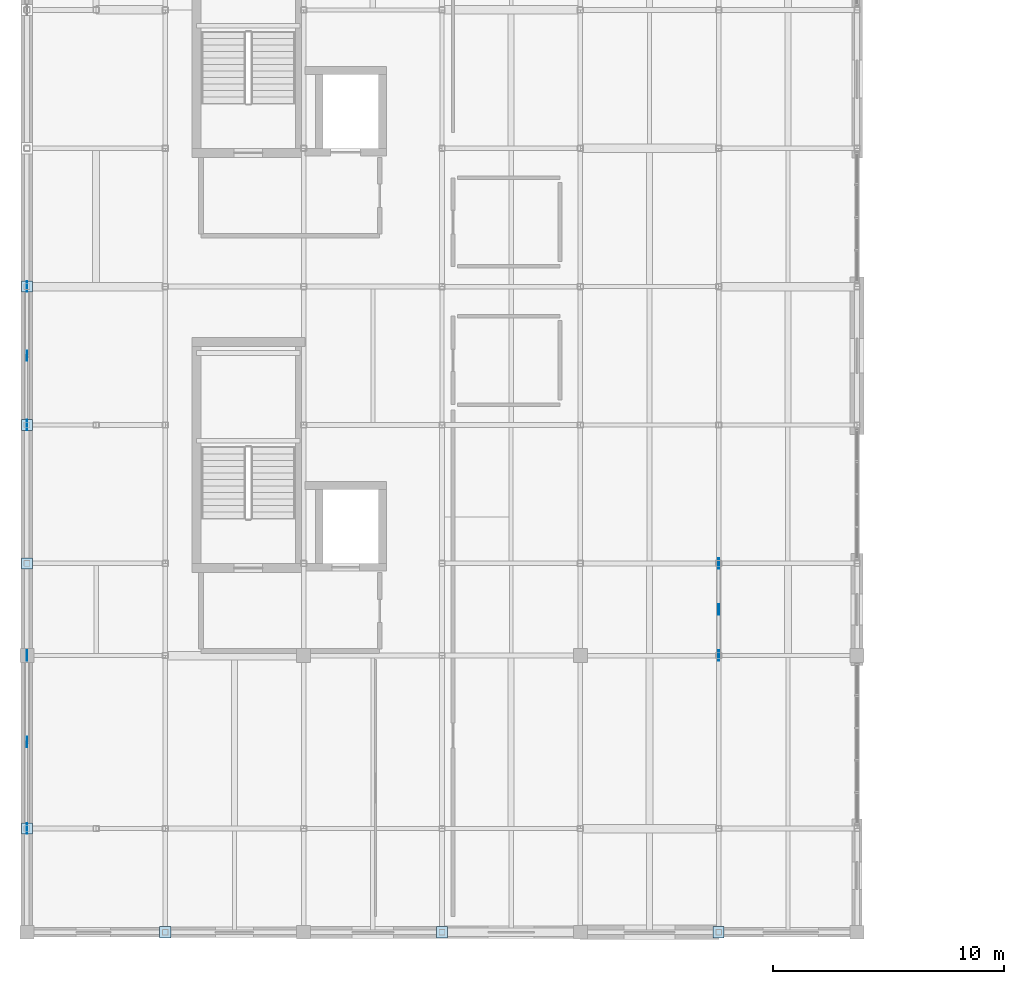
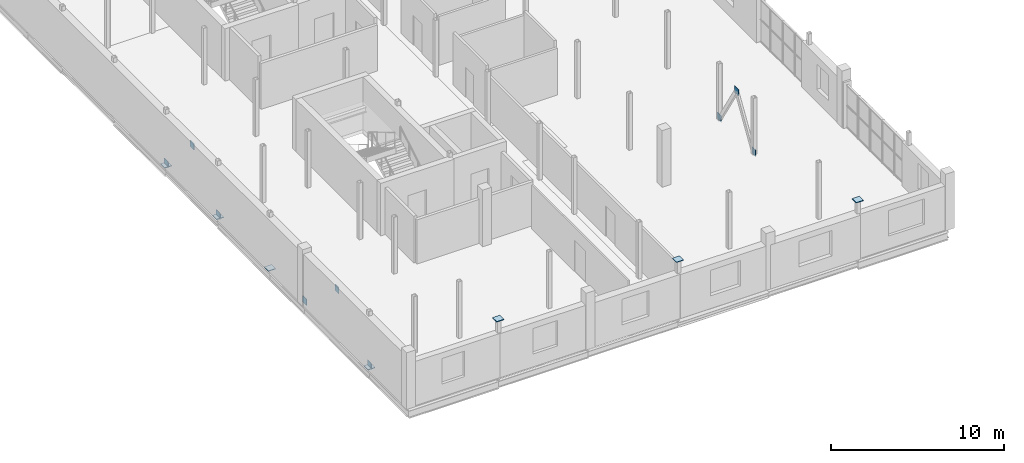
# One storey, part 26 of 35: 16 plates.
"""IFC4 building model written with IfcOpenShell, lengths in metres."""

from ifc_helpers import new_model, si_unit, direction, frame, origin, origin_2d, place, context, subcontext, project, spatial, rectangle, extrude, material, layer, layer_set, type_object, element, save


model = new_model("IFC4")

# Units and contexts
model_context = context("Model", 3, precision=1e-05, world=origin(), true_north=direction((0.0, 1.0)))
body_context = subcontext(model_context, "Body", "Model", "MODEL_VIEW")
ifc_project = project(units=[si_unit("LENGTHUNIT", "METRE"), si_unit("AREAUNIT", "SQUARE_METRE"), si_unit("VOLUMEUNIT", "CUBIC_METRE"), si_unit("PLANEANGLEUNIT", "RADIAN"), si_unit("MASSUNIT", "GRAM", prefix="KILO")], contexts=[model_context])

# Site, building, storey
site_placement = place(None, origin())
site = spatial("IfcSite", under=ifc_project, at=site_placement, CompositionType="ELEMENT")
building_placement = place(site_placement, origin())
building = spatial("IfcBuilding", under=site, at=building_placement, Name="Verrall Gate Interchange", CompositionType="ELEMENT")
storey_placement = place(building_placement, frame((0.0, 0.0, 15.39990234375)))
storey = spatial("IfcBuildingStorey", under=building, at=storey_placement, Name="L04", CompositionType="ELEMENT", Elevation=15.39990234375)

# Plates
ifc_material_1 = material(Name="Structural Steel CSA G40.21 350WT Cat 4", Category="steel")
ifc_layer_1 = layer(ifc_material_1, 0.0400390625)
ifc_layer_set_1 = layer_set([ifc_layer_1], Name="Structural Steel CSA G40.21 350WT Cat 4")
plate_type_1 = type_object("IfcPlateType", Name="BP-01 Base Plate 40", PredefinedType="USERDEFINED", material=ifc_layer_set_1)
for number, where, z_axis, x_axis, name in (
    (1, (0.0, 4.5, -0.02001953125), (0.0, 0.0, 1.0), (1.0, 0.0, 0.0), "L04 Hollow Column Transition Cap Plate 0013"),
    (2, (0.0, 16.0, -0.02001953125), (0.0, 0.0, 1.0), (1.0, 0.0, 0.0), "L04 Hollow Column Transition Cap Plate 0027"),
    (3, (0.0, 22.0, -0.02001953125), (0.0, 0.0, 1.0), (1.0, 0.0, 0.0), "L04 Hollow Column Transition Cap Plate 0034"),
    (4, (0.0, 28.0, -0.02001953125), (0.0, 0.0, 1.0), (1.0, 0.0, 0.0), "L04 Hollow Column Transition Cap Plate 0041"),
    (5, (6.0, 0.0, 4.0), (0.0, 0.0, 1.0), (1.0, 0.0, 0.0), "L04 Hollow Column Top Cap Plate 0136"),
    (6, (18.0, 0.0, 4.0), (0.0, 0.0, 1.0), (1.0, 0.0, 0.0), "L04 Hollow Column Top Cap Plate 0370"),
    (7, (30.0, 0.0, 4.0), (0.0, 0.0, 1.0), (1.0, 0.0, 0.0), "L04 Hollow Column Top Cap Plate 0604"),
):
    element("IfcPlate", number, at=place(storey_placement, frame(where, z_axis=z_axis, x_axis=x_axis)), inside=storey, type_object=plate_type_1, Name=name, ObjectType="BASE_PLATE", PredefinedType="USERDEFINED", context=body_context, shape_type="SweptSolid", body=[
        extrude(rectangle(XDim=0.47998046875, YDim=0.47998046875, at=origin_2d()), origin(), (0.0, 0.0, 1.0), 0.0400390625),
    ])
ifc_material_2 = material(Name="Structural Steel CSA G40.21 350WT Cat 4", Category="steel")
ifc_layer_2 = layer(ifc_material_2, 0.030029296875)
ifc_layer_set_2 = layer_set([ifc_layer_2], Name="Structural Steel CSA G40.21 350WT Cat 4")
plate_type_2 = type_object("IfcPlateType", Name="GP-02 Gusset Plate 30", PredefinedType="SHEET", material=ifc_layer_set_2)
for number, where, z_axis, x_axis, name in (
    (8, (0.0, 4.5, -0.0849609375), (0.0, 0.0, 1.0), (1.0, 0.0, 0.0), "Chevron Brace Gusset Node CBF1-L04-BA"),
    (9, (0.0, 12.0, -0.0849609375), (0.0, 0.0, 1.0), (1.0, 0.0, 0.0), "Chevron Brace Gusset Node CBF1-L04-BB"),
    (10, (0.0, 8.25, 2.9951171875), (0.0, 0.0, 1.0), (1.0, 0.0, 0.0), "Chevron Brace Gusset Node CBF1-L04-AP"),
    (11, (0.0, 22.0, -0.0849609375), (0.0, 0.0, 1.0), (1.0, 0.0, 0.0), "Chevron Brace Gusset Node CBF2-L04-BA"),
    (12, (0.0, 28.0, -0.0849609375), (0.0, 0.0, 1.0), (1.0, 0.0, 0.0), "Chevron Brace Gusset Node CBF2-L04-BB"),
    (13, (0.0, 25.0, 2.9951171875), (0.0, 0.0, 1.0), (1.0, 0.0, 0.0), "Chevron Brace Gusset Node CBF2-L04-AP"),
    (14, (30.0, 12.0, -0.0849609375), (0.0, 0.0, 1.0), (1.0, 0.0, 0.0), "Chevron Brace Gusset Node CBF5-L04-BA"),
    (15, (30.0, 16.0, -0.0849609375), (0.0, 0.0, 1.0), (1.0, 0.0, 0.0), "Chevron Brace Gusset Node CBF5-L04-BB"),
    (16, (30.0, 14.0, 2.9951171875), (0.0, 0.0, 1.0), (1.0, 0.0, 0.0), "Chevron Brace Gusset Node CBF5-L04-AP"),
):
    element("IfcPlate", number, at=place(storey_placement, frame(where, z_axis=z_axis, x_axis=x_axis)), inside=storey, type_object=plate_type_2, Name=name, PredefinedType="SHEET", context=body_context, shape_type="SweptSolid", body=[
        extrude(rectangle(XDim=0.030029296875, YDim=0.449951171875, at=origin_2d()), origin(), (0.0, 0.0, 1.0), 0.449951171875),
    ])

save(model, "model.ifc")
